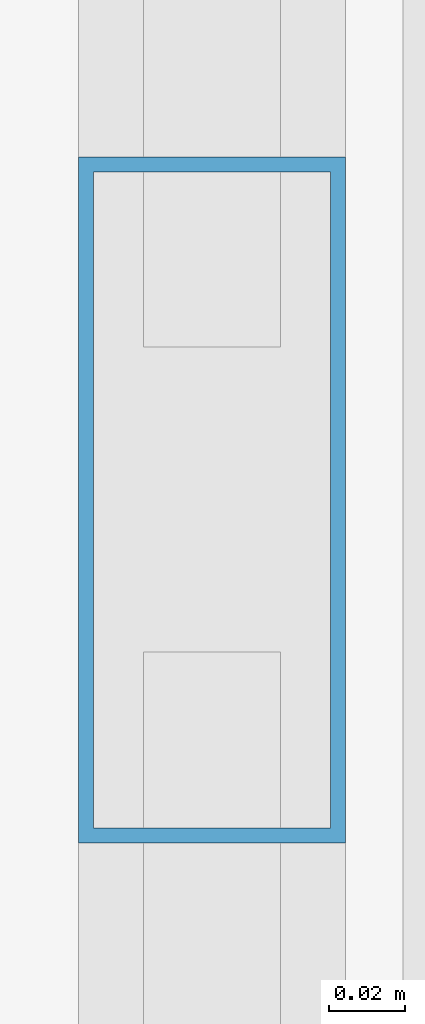
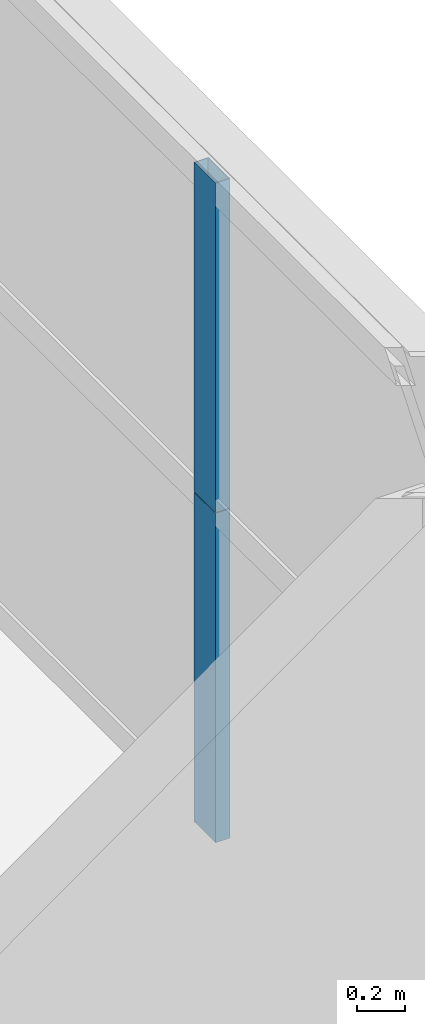
# One storey, part 32 of 43: 2 members, 1 element without a shape of its own.
"""IFC4 building model written with IfcOpenShell, lengths in metres."""

from ifc_helpers import new_model, si_unit, direction, frame, origin, origin_2d, place, context, subcontext, project, spatial, hollow_rectangle, extrude, source, transform, mapped, material, layer, layer_set, material_profile, profile_set, type_object, element, aggregate, save


model = new_model("IFC4")

# Units and contexts
model_context = context("Model", 3, precision=1e-05, world=origin(), true_north=direction((0.0, 1.0)))
body_context = subcontext(model_context, "Body", "Model", "MODEL_VIEW")
ifc_project = project(units=[si_unit("LENGTHUNIT", "METRE"), si_unit("AREAUNIT", "SQUARE_METRE"), si_unit("VOLUMEUNIT", "CUBIC_METRE"), si_unit("PLANEANGLEUNIT", "RADIAN"), si_unit("MASSUNIT", "GRAM", prefix="KILO"), si_unit("THERMODYNAMICTEMPERATUREUNIT", "KELVIN"), si_unit("POWERUNIT", "WATT")], contexts=[model_context])

# Site, building, storey
site_placement = place(None, origin())
site = spatial("IfcSite", under=ifc_project, at=site_placement, CompositionType="ELEMENT")
building_placement = place(site_placement, origin())
building = spatial("IfcBuilding", under=site, at=building_placement, Name="Yuzanri Waterfront Tower", CompositionType="ELEMENT")
storey_placement = place(building_placement, frame((0.0, 0.0, 101.0)))
storey = spatial("IfcBuildingStorey", under=building, at=storey_placement, Name="L26", CompositionType="ELEMENT", Elevation=101.0)

# Curtain wall, members
ifc_material_1 = material(Name="Anodized Architectural Bronze", Category="metal")
ifc_layer = layer(ifc_material_1, 0.159912109375)
ifc_layer_set = layer_set([ifc_layer], Name="Anodized Architectural Bronze")
curtain_wall_type = type_object("IfcCurtainWallType", Name="Anodized Bronze Hotel Upper-Tier Solar-Control Unitized Curtain Wall 7800", PredefinedType="NOTDEFINED", material=ifc_layer_set)
curtain_wall_placement = place(storey_placement, origin())
curtain_wall = element("IfcCurtainWall", 1, at=curtain_wall_placement, inside=storey, type_object=curtain_wall_type, Name="L26 Curtain Wall CW-L26-ER", PredefinedType="NOTDEFINED")
ifc_material_2 = material(Name="Anodized Architectural Bronze", Category="metal")
ifc_material_profile = material_profile(ifc_material_2, hollow_rectangle(XDim=0.070068359375, YDim=0.179931640625, WallThickness=0.00390625, at=origin_2d()), Name="CWM 70x180")
ifc_profile_set = profile_set([ifc_material_profile], Name="Anodized Architectural Bronze")
member_type = type_object("IfcMemberType", Name="Anodized Bronze Standard Curtain-Wall Mullion 70x180", PredefinedType="MULLION", material=ifc_profile_set)
shared_shape = source(origin(), body_context, "Body", "SweptSolid", [
    extrude(hollow_rectangle(XDim=0.070068359375, YDim=0.179931640625, WallThickness=0.00390625, at=origin_2d()), origin(), (0.0, 0.0, 1.0), 1.68798828125),
])
member_1_placement = place(storey_placement, frame((60.449951171875, 34.14990234375, 0.0), z_axis=(0.0, 0.0, 1.0), x_axis=(1.0, 0.0, 0.0)))
member_1 = element("IfcMember", 2, at=member_1_placement, type_object=member_type, Name="CW-L26-ER Lower Mullion 01", PredefinedType="MULLION", context=body_context, shape_type="MappedRepresentation", body=[
    mapped(shared_shape, transform((0.0, 0.0, 0.0), scale=1.0)),
])
member_2_placement = place(storey_placement, frame((60.449951171875, 34.14990234375, 1.69189453125), z_axis=(0.0, 0.0, 1.0), x_axis=(1.0, 0.0, 0.0)))
member_2 = element("IfcMember", 3, at=member_2_placement, type_object=member_type, Name="CW-L26-ER Upper Mullion 01", PredefinedType="MULLION", context=body_context, shape_type="MappedRepresentation", body=[
    mapped(shared_shape, transform((0.0, 0.0, 0.0), scale=1.0)),
])
aggregate(curtain_wall, [member_1, member_2])

save(model, "model.ifc")
